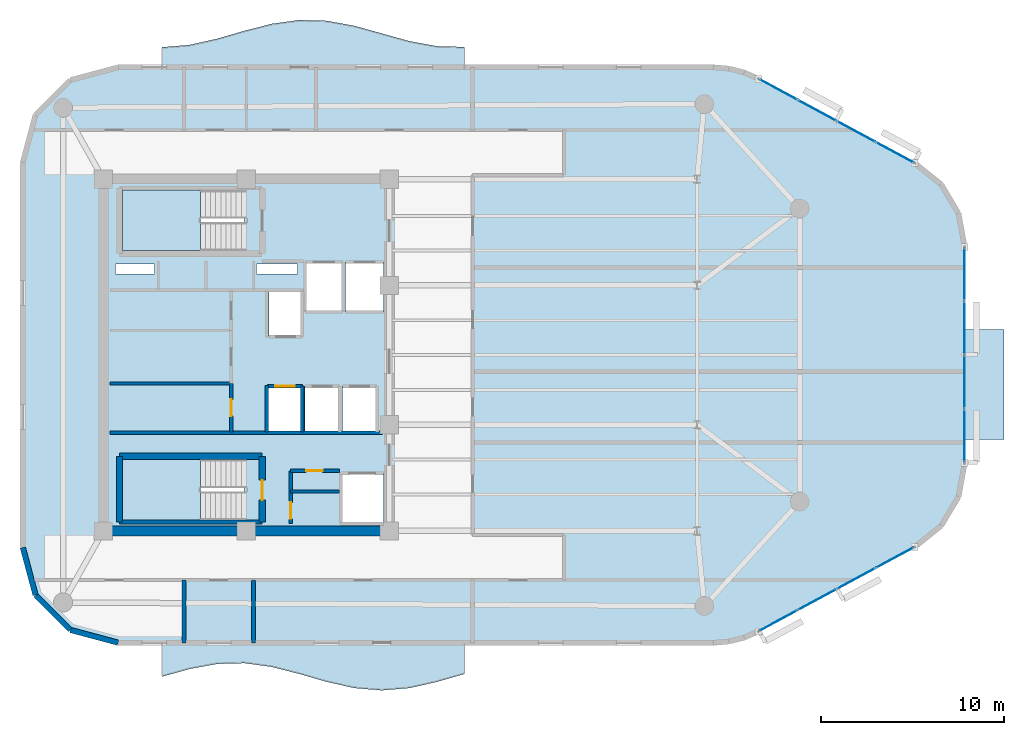
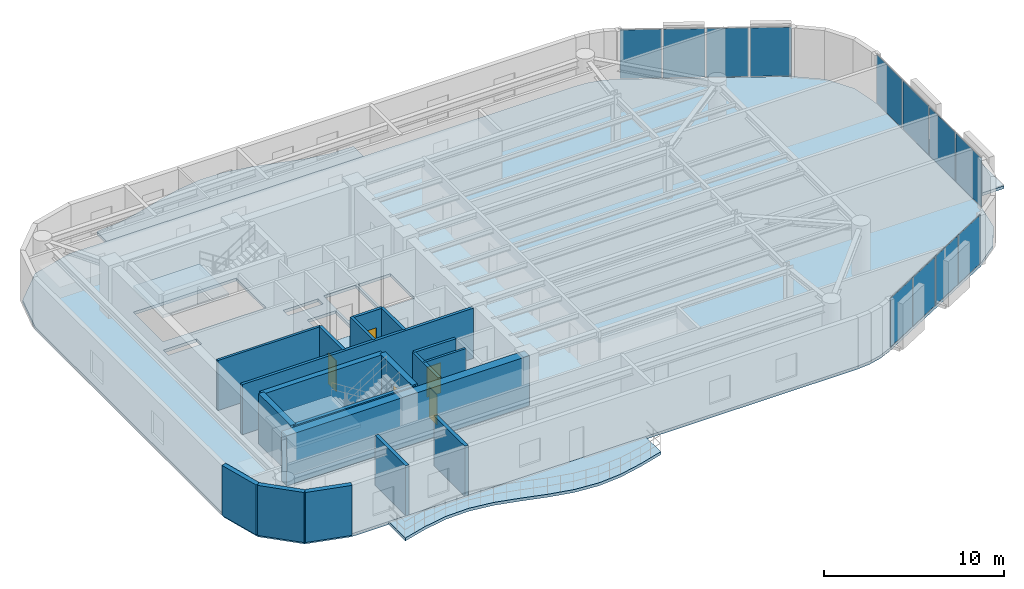
# One storey, part 8 of 13: 19 walls, 12 plates, 6 slabs, 5 doors, 5 openings, 5 elements without a shape of their own.
"""IFC4 building model written with IfcOpenShell, lengths in metres."""

from ifc_helpers import new_model, si_unit, direction, frame, frame_2d, origin, origin_2d, place, context, subcontext, project, spatial, polyline, rectangle, outline, extrude, material, layer, layer_set, type_object, element, fill, aggregate, save


model = new_model("IFC4")

# Units and contexts
model_context = context("Model", 3, precision=1e-05, world=origin(), true_north=direction((0.0, 1.0)))
body_context = subcontext(model_context, "Body", "Model", "MODEL_VIEW")
ifc_project = project(units=[si_unit("LENGTHUNIT", "METRE"), si_unit("AREAUNIT", "SQUARE_METRE"), si_unit("VOLUMEUNIT", "CUBIC_METRE"), si_unit("PLANEANGLEUNIT", "RADIAN"), si_unit("MASSUNIT", "GRAM", prefix="KILO")], contexts=[model_context])

# Site, building, storey
site_placement = place(None, origin())
site = spatial("IfcSite", under=ifc_project, at=site_placement, CompositionType="ELEMENT")
building_placement = place(site_placement, origin())
building = spatial("IfcBuilding", under=site, at=building_placement, Name="An Khanh Terracotta Commons", CompositionType="ELEMENT")
storey_placement = place(building_placement, frame((0.0, 0.0, 222.89990234375)))
storey = spatial("IfcBuildingStorey", under=building, at=storey_placement, Name="L58", CompositionType="ELEMENT", Elevation=222.89990234375)

# Curtain wall, plates
ifc_material_1 = material(Name="Anodised Aluminium 6063-T6", Category="aluminium")
ifc_layer_1 = layer(ifc_material_1, 0.2099609375, Name="Anodised Aluminium 6063-T6")
ifc_layer_set_1 = layer_set([ifc_layer_1], Name="Anodised Aluminium 6063-T6")
curtain_wall_type = type_object("IfcCurtainWallType", Name="CW-SYS-03", PredefinedType="USERDEFINED", material=ifc_layer_set_1)
curtain_wall_1_placement = place(storey_placement, origin())
curtain_wall_1 = element("IfcCurtainWall", 1, at=curtain_wall_1_placement, inside=storey, type_object=curtain_wall_type, Name="L58 CW-03 Unitised Curtain Wall CW-L58-08", ObjectType="UNITISED CURTAIN WALL", PredefinedType="USERDEFINED")
ifc_material_2 = material(Name="Acoustic Laminated Low-E Glazing", Category="glass")
ifc_layer_2 = layer(ifc_material_2, 0.035888671875, Name="Acoustic Laminated Low-E Glazing")
ifc_layer_set_2 = layer_set([ifc_layer_2], Name="Acoustic Laminated Low-E Glazing")
plate_type = type_object("IfcPlateType", Name="CWP-IGU-36", PredefinedType="CURTAIN_PANEL", material=ifc_layer_set_2)
plate_1_placement = place(storey_placement, frame((58.436767578125, 9.508544921875, 0.05029296875), z_axis=(0.0, 0.0, 1.0), x_axis=(0.879780095306, 0.47538088298, 0.0)))
plate_1 = element("IfcPlate", 2, at=plate_1_placement, type_object=plate_type, Name="CW-03 panel 1.1", PredefinedType="CURTAIN_PANEL", context=body_context, shape_type="SweptSolid", body=[
    extrude(rectangle(XDim=2.314697265625, YDim=0.035888671875, at=origin_2d()), origin(), (0.0, 0.0, 1.0), 3.300048828125),
])
plate_2_placement = place(storey_placement, frame((60.550048828125, 10.650390625, 0.05029296875), z_axis=(0.0, 0.0, 1.0), x_axis=(0.879780095306, 0.47538088298, 0.0)))
plate_2 = element("IfcPlate", 3, at=plate_2_placement, type_object=plate_type, Name="CW-03 panel 2.1", PredefinedType="CURTAIN_PANEL", context=body_context, shape_type="SweptSolid", body=[
    extrude(rectangle(XDim=2.349609375, YDim=0.035888671875, at=origin_2d()), origin(), (0.0, 0.0, 1.0), 3.300048828125),
])
plate_3_placement = place(storey_placement, frame((62.678955078125, 11.800537109375, 0.05029296875), z_axis=(0.0, 0.0, 1.0), x_axis=(0.879780095306, 0.47538088298, 0.0)))
plate_3 = element("IfcPlate", 4, at=plate_3_placement, type_object=plate_type, Name="CW-03 panel 3.1", PredefinedType="CURTAIN_PANEL", context=body_context, shape_type="SweptSolid", body=[
    extrude(rectangle(XDim=2.349609375, YDim=0.035888671875, at=origin_2d()), origin(), (0.0, 0.0, 1.0), 3.300048828125),
])
plate_4_placement = place(storey_placement, frame((64.792236328125, 12.942626953125, 0.05029296875), z_axis=(0.0, 0.0, 1.0), x_axis=(0.879780095306, 0.47538088298, 0.0)))
plate_4 = element("IfcPlate", 5, at=plate_4_placement, type_object=plate_type, Name="CW-03 panel 4.1", PredefinedType="CURTAIN_PANEL", context=body_context, shape_type="SweptSolid", body=[
    extrude(rectangle(XDim=2.314697265625, YDim=0.035888671875, at=origin_2d()), origin(), (0.0, 0.0, 1.0), 3.300048828125),
])
aggregate(curtain_wall_1, [plate_1, plate_2, plate_3, plate_4])

curtain_wall_2_placement = place(storey_placement, origin())
curtain_wall_2 = element("IfcCurtainWall", 6, at=curtain_wall_2_placement, inside=storey, type_object=curtain_wall_type, Name="L58 CW-03 Unitised Curtain Wall CW-L58-12", ObjectType="UNITISED CURTAIN WALL", PredefinedType="USERDEFINED")
plate_5_placement = place(storey_placement, frame((68.60009765625, 19.59326171875, 0.05029296875), z_axis=(0.0, 0.0, 1.0), x_axis=(0.0, 1.0, 0.0)))
plate_5 = element("IfcPlate", 7, at=plate_5_placement, type_object=plate_type, Name="CW-03 panel 1.1", PredefinedType="CURTAIN_PANEL", context=body_context, shape_type="SweptSolid", body=[
    extrude(rectangle(XDim=2.844482421875, YDim=0.035888671875, at=origin_2d()), origin(), (0.0, 0.0, 1.0), 3.300048828125),
])
plate_6_placement = place(storey_placement, frame((68.60009765625, 22.525146484375, 0.05029296875), z_axis=(0.0, 0.0, 1.0), x_axis=(0.0, 1.0, 0.0)))
plate_6 = element("IfcPlate", 8, at=plate_6_placement, type_object=plate_type, Name="CW-03 panel 2.1", PredefinedType="CURTAIN_PANEL", context=body_context, shape_type="SweptSolid", body=[
    extrude(rectangle(XDim=2.87939453125, YDim=0.035888671875, at=origin_2d()), origin(), (0.0, 0.0, 1.0), 3.300048828125),
])
plate_7_placement = place(storey_placement, frame((68.60009765625, 25.474853515625, 0.05029296875), z_axis=(0.0, 0.0, 1.0), x_axis=(0.0, 1.0, 0.0)))
plate_7 = element("IfcPlate", 9, at=plate_7_placement, type_object=plate_type, Name="CW-03 panel 3.1", PredefinedType="CURTAIN_PANEL", context=body_context, shape_type="SweptSolid", body=[
    extrude(rectangle(XDim=2.87939453125, YDim=0.035888671875, at=origin_2d()), origin(), (0.0, 0.0, 1.0), 3.300048828125),
])
plate_8_placement = place(storey_placement, frame((68.60009765625, 28.40673828125, 0.05029296875), z_axis=(0.0, 0.0, 1.0), x_axis=(0.0, 1.0, 0.0)))
plate_8 = element("IfcPlate", 10, at=plate_8_placement, type_object=plate_type, Name="CW-03 panel 4.1", PredefinedType="CURTAIN_PANEL", context=body_context, shape_type="SweptSolid", body=[
    extrude(rectangle(XDim=2.844482421875, YDim=0.035888671875, at=origin_2d()), origin(), (0.0, 0.0, 1.0), 3.300048828125),
])
aggregate(curtain_wall_2, [plate_5, plate_6, plate_7, plate_8])

curtain_wall_3_placement = place(storey_placement, origin())
curtain_wall_3 = element("IfcCurtainWall", 11, at=curtain_wall_3_placement, inside=storey, type_object=curtain_wall_type, Name="L58 CW-03 Unitised Curtain Wall CW-L58-16", ObjectType="UNITISED CURTAIN WALL", PredefinedType="USERDEFINED")
plate_9_placement = place(storey_placement, frame((64.792236328125, 35.057373046875, 0.05029296875), z_axis=(0.0, 0.0, 1.0), x_axis=(-0.879780095306, 0.47538088298, 0.0)))
plate_9 = element("IfcPlate", 12, at=plate_9_placement, type_object=plate_type, Name="CW-03 panel 1.1", PredefinedType="CURTAIN_PANEL", context=body_context, shape_type="SweptSolid", body=[
    extrude(rectangle(XDim=2.314697265625, YDim=0.035888671875, at=origin_2d()), origin(), (0.0, 0.0, 1.0), 3.300048828125),
])
plate_10_placement = place(storey_placement, frame((62.678955078125, 36.199462890625, 0.05029296875), z_axis=(0.0, 0.0, 1.0), x_axis=(-0.879780095306, 0.47538088298, 0.0)))
plate_10 = element("IfcPlate", 13, at=plate_10_placement, type_object=plate_type, Name="CW-03 panel 2.1", PredefinedType="CURTAIN_PANEL", context=body_context, shape_type="SweptSolid", body=[
    extrude(rectangle(XDim=2.349609375, YDim=0.035888671875, at=origin_2d()), origin(), (0.0, 0.0, 1.0), 3.300048828125),
])
plate_11_placement = place(storey_placement, frame((60.550048828125, 37.349609375, 0.05029296875), z_axis=(0.0, 0.0, 1.0), x_axis=(-0.879780095306, 0.47538088298, 0.0)))
plate_11 = element("IfcPlate", 14, at=plate_11_placement, type_object=plate_type, Name="CW-03 panel 3.1", PredefinedType="CURTAIN_PANEL", context=body_context, shape_type="SweptSolid", body=[
    extrude(rectangle(XDim=2.349609375, YDim=0.035888671875, at=origin_2d()), origin(), (0.0, 0.0, 1.0), 3.300048828125),
])
plate_12_placement = place(storey_placement, frame((58.436767578125, 38.491455078125, 0.05029296875), z_axis=(0.0, 0.0, 1.0), x_axis=(-0.879780095306, 0.47538088298, 0.0)))
plate_12 = element("IfcPlate", 15, at=plate_12_placement, type_object=plate_type, Name="CW-03 panel 4.1", PredefinedType="CURTAIN_PANEL", context=body_context, shape_type="SweptSolid", body=[
    extrude(rectangle(XDim=2.314697265625, YDim=0.035888671875, at=origin_2d()), origin(), (0.0, 0.0, 1.0), 3.300048828125),
])
aggregate(curtain_wall_3, [plate_9, plate_10, plate_11, plate_12])

# Slabs
ifc_material_3 = material(Name="Concrete C40/50", Category="concrete")
ifc_layer_3 = layer(ifc_material_3, 0.199951171875, Name="Concrete C40/50")
ifc_layer_set_3 = layer_set([ifc_layer_3], Name="Concrete C40/50")
slab_type_1 = type_object("IfcSlabType", Name="SLAB-BALC-200", PredefinedType="FLOOR", material=ifc_layer_set_3)
slab_1_placement = place(storey_placement, frame((0.0, 0.0, -0.199951171875)))
element("IfcSlab", 16, at=slab_1_placement, inside=storey, type_object=slab_type_1, Name="L58 S Sinusoidal Wave Balcony Slab", PredefinedType="FLOOR", context=body_context, shape_type="SweptSolid", body=[
    extrude(outline(polyline([(24.800048828125, 8.300048828125), (24.800048828125, 6.449951171875), (26.300048828125, 6.866943359375), (27.800048828125, 7.14306640625), (29.300048828125, 7.18603515625), (30.800048828125, 6.97998046875), (32.300048828125, 6.595947265625), (33.800048828125, 6.1630859375), (35.300048828125, 5.825927734375), (36.800048828125, 5.699951171875), (38.300048828125, 5.825927734375), (39.800048828125, 6.1630859375), (41.300048828125, 6.595947265625), (41.300048828125, 8.300048828125), (24.800048828125, 8.300048828125)])), origin(), (0.0, 0.0, 1.0), 0.199951171875),
])
slab_2_placement = place(storey_placement, frame((0.0, 0.0, -0.199951171875)))
element("IfcSlab", 17, at=slab_2_placement, inside=storey, type_object=slab_type_1, Name="L58 N Sinusoidal Wave Balcony Slab", PredefinedType="FLOOR", context=body_context, shape_type="SweptSolid", body=[
    extrude(outline(polyline([(41.300048828125, 39.699951171875), (41.300048828125, 40.81396484375), (39.800048828125, 40.85693359375), (38.300048828125, 41.133056640625), (36.800048828125, 41.550048828125), (35.300048828125, 41.967041015625), (33.800048828125, 42.242919921875), (32.300048828125, 42.285888671875), (30.800048828125, 42.080078125), (29.300048828125, 41.696044921875), (27.800048828125, 41.262939453125), (26.300048828125, 40.926025390625), (24.800048828125, 40.800048828125), (24.800048828125, 39.699951171875), (41.300048828125, 39.699951171875)])), origin(), (0.0, 0.0, 1.0), 0.199951171875),
])
ifc_layer_4 = layer(ifc_material_3, 0.22998046875, Name="Concrete C40/50")
ifc_layer_set_4 = layer_set([ifc_layer_4], Name="Concrete C40/50")
slab_type_2 = type_object("IfcSlabType", Name="SLAB-BOXROOF-230", PredefinedType="ROOF", material=ifc_layer_set_4)
slab_3_placement = place(storey_placement, frame((0.0, 0.0, -0.199951171875)))
element("IfcSlab", 18, at=slab_3_placement, inside=storey, type_object=slab_type_2, Name="L58 Shifted Social Kitchen Box Closing Roof Slab (L57)", PredefinedType="ROOF", context=body_context, shape_type="SweptSolid", body=[
    extrude(outline(polyline([(68.60009765625, 19.39990234375), (70.75, 19.39990234375), (70.75, 25.39990234375), (68.60009765625, 25.39990234375), (68.60009765625, 19.39990234375)])), origin(), (0.0, 0.0, 1.0), 0.199951171875),
])

# Stair, slab
ifc_material_4 = material(Name="Precast concrete C40/50", Category="concrete")
stair_type = type_object("IfcStairType", Name="STAIR-CORE-1550", PredefinedType="HALF_TURN_STAIR", material=ifc_material_4)
stair_1_placement = place(storey_placement, origin())
stair_1 = element("IfcStair", 19, at=stair_1_placement, inside=storey, type_object=stair_type, Name="L58 Core Smokeproof Exit Stair ST-01", PredefinedType="HALF_TURN_STAIR")
ifc_layer_5 = layer(ifc_material_3, 0.18994140625, Name="Concrete C40/50")
ifc_layer_set_5 = layer_set([ifc_layer_5], Name="Concrete C40/50")
slab_type_3 = type_object("IfcSlabType", Name="SLAB-LANDING-190", PredefinedType="LANDING", material=ifc_layer_set_5)
slab_4_placement = place(storey_placement, frame((0.0, 0.0, 1.60009765625)))
slab_4 = element("IfcSlab", 20, at=slab_4_placement, type_object=slab_type_3, Name="ST-01 landing 1", PredefinedType="LANDING", context=body_context, shape_type="SweptSolid", body=[
    extrude(outline(polyline([(26.889892578125, 33.0), (22.64990234375, 33.0), (22.64990234375, 29.699951171875), (26.889892578125, 29.699951171875), (26.889892578125, 33.0)])), origin(), (0.0, 0.0, 1.0), 0.199951171875),
])
aggregate(stair_1, [slab_4])

stair_2_placement = place(storey_placement, origin())
stair_2 = element("IfcStair", 21, at=stair_2_placement, inside=storey, type_object=stair_type, Name="L58 Core Smokeproof Exit Stair ST-02", PredefinedType="HALF_TURN_STAIR")
slab_5_placement = place(storey_placement, frame((0.0, 0.0, 1.60009765625)))
slab_5 = element("IfcSlab", 22, at=slab_5_placement, type_object=slab_type_3, Name="ST-02 landing 1", PredefinedType="LANDING", context=body_context, shape_type="SweptSolid", body=[
    extrude(outline(polyline([(26.889892578125, 18.300048828125), (22.64990234375, 18.300048828125), (22.64990234375, 15.0), (26.889892578125, 15.0), (26.889892578125, 18.300048828125)])), origin(), (0.0, 0.0, 1.0), 0.199951171875),
])
aggregate(stair_2, [slab_5])

# Slab
ifc_layer_6 = layer(ifc_material_3, 0.199951171875, Name="Concrete C40/50")
ifc_layer_set_6 = layer_set([ifc_layer_6], Name="Concrete C40/50")
slab_type_4 = type_object("IfcSlabType", Name="SLAB-TYP-200", PredefinedType="FLOOR", material=ifc_layer_set_6)
slab_6_placement = place(storey_placement, frame((0.0, 0.0, -0.199951171875)))
element("IfcSlab", 23, at=slab_6_placement, inside=storey, type_object=slab_type_4, Name="L58 Structural Floor Slab", PredefinedType="FLOOR", context=body_context, shape_type="SweptSolid", body=[
    extrude(outline(polyline([(17.199951171875, 13.5), (17.89697265625, 10.89990234375), (19.800048828125, 8.9970703125), (22.39990234375, 8.300048828125), (54.885009765625, 8.300048828125), (55.739990234375, 8.37109375), (56.571044921875, 8.5810546875), (57.35693359375, 8.925048828125), (65.8720703125, 13.52587890625), (67.320068359375, 14.68408203125), (68.26904296875, 16.27587890625), (68.60009765625, 18.10107421875), (68.60009765625, 29.89892578125), (68.26904296875, 31.72412109375), (67.320068359375, 33.31591796875), (65.8720703125, 34.47412109375), (57.35693359375, 39.074951171875), (56.571044921875, 39.4189453125), (55.739990234375, 39.62890625), (54.885009765625, 39.699951171875), (22.39990234375, 39.699951171875), (19.800048828125, 39.0029296875), (17.89697265625, 37.10009765625), (17.199951171875, 34.5), (17.199951171875, 13.5)]), holes=[polyline([(22.64990234375, 29.699951171875), (29.27001953125, 29.699951171875), (29.27001953125, 33.0), (22.64990234375, 33.0), (22.64990234375, 29.699951171875)]), polyline([(22.64990234375, 15.0), (29.27001953125, 15.0), (29.27001953125, 18.300048828125), (22.64990234375, 18.300048828125), (22.64990234375, 15.0)]), polyline([(32.60009765625, 26.35009765625), (34.679931640625, 26.35009765625), (34.679931640625, 29.080078125), (32.60009765625, 29.080078125), (32.60009765625, 26.35009765625)]), polyline([(34.820068359375, 26.35009765625), (36.89990234375, 26.35009765625), (36.89990234375, 29.080078125), (34.820068359375, 29.080078125), (34.820068359375, 26.35009765625)]), polyline([(34.550048828125, 14.800048828125), (36.89990234375, 14.800048828125), (36.89990234375, 17.550048828125), (34.550048828125, 17.550048828125), (34.550048828125, 14.800048828125)]), polyline([(30.639892578125, 25.0), (32.4599609375, 25.0), (32.4599609375, 27.5), (30.639892578125, 27.5), (30.639892578125, 25.0)]), polyline([(30.56005859375, 19.800048828125), (32.4599609375, 19.800048828125), (32.4599609375, 22.300048828125), (30.56005859375, 22.300048828125), (30.56005859375, 19.800048828125)]), polyline([(32.60009765625, 19.800048828125), (34.5, 19.800048828125), (34.5, 22.300048828125), (32.60009765625, 22.300048828125), (32.60009765625, 19.800048828125)]), polyline([(34.639892578125, 19.800048828125), (36.5400390625, 19.800048828125), (36.5400390625, 22.300048828125), (34.639892578125, 22.300048828125), (34.639892578125, 19.800048828125)]), polyline([(22.25, 28.419921875), (24.39990234375, 28.419921875), (24.39990234375, 28.97998046875), (22.25, 28.97998046875), (22.25, 28.419921875)]), polyline([(29.949951171875, 28.419921875), (32.199951171875, 28.419921875), (32.199951171875, 28.97998046875), (29.949951171875, 28.97998046875), (29.949951171875, 28.419921875)])]), origin(), (0.0, 0.0, 1.0), 0.199951171875),
])

# Walls
ifc_material_5 = material(Name="Concrete C50/60", Category="concrete")
ifc_layer_7 = layer(ifc_material_5, 0.550048828125, Name="Concrete C50/60")
ifc_layer_set_7 = layer_set([ifc_layer_7], Name="Concrete C50/60")
wall_type_1 = type_object("IfcWallType", Name="WALL-CORE-550", PredefinedType="SHEAR", material=ifc_layer_set_7)
wall_1_placement = place(storey_placement, frame((37.199951171875, 14.39990234375, 0.0), z_axis=(0.0, 0.0, 1.0), x_axis=(-1.0, 0.0, 0.0)))
element("IfcWall", 24, at=wall_1_placement, inside=storey, type_object=wall_type_1, Name="L58 Core Wall CWALL-L58-S", PredefinedType="SHEAR", context=body_context, shape_type="SweptSolid", body=[
    extrude(rectangle(XDim=15.599853515625, YDim=0.550048828125, at=frame_2d((7.7998046875, 0.0))), origin(), (0.0, 0.0, 1.0), 3.400146484375),
])
ifc_material_6 = material(Name="Fire-Rated Gypsum Board on Steel Stud", Category="steel")
ifc_layer_8 = layer(ifc_material_6, 0.179931640625, Name="Fire-Rated Gypsum Board on Steel Stud")
ifc_layer_set_8 = layer_set([ifc_layer_8], Name="Fire-Rated Gypsum Board on Steel Stud")
wall_type_2 = type_object("IfcWallType", Name="WALL-CORR-180", PredefinedType="PARTITIONING", material=ifc_layer_set_8)
wall_2_placement = place(storey_placement, frame((21.949951171875, 19.760009765625, 0.0), z_axis=(0.0, 0.0, 1.0), x_axis=(1.0, 0.0, 0.0)))
element("IfcWall", 25, at=wall_2_placement, inside=storey, type_object=wall_type_2, Name="L58 Core Wall SVW-L58-N", PredefinedType="PARTITIONING", context=body_context, shape_type="SweptSolid", body=[
    extrude(rectangle(XDim=14.8701171875, YDim=0.179931640625, at=frame_2d((7.43505859375, 0.0))), origin(), (0.0, 0.0, 1.0), 3.400146484375),
])

# Wall, opening, door
wall_3_placement = place(storey_placement, frame((31.820068359375, 17.679931640625, 0.0), z_axis=(0.0, 0.0, 1.0), x_axis=(1.0, 0.0, 0.0)))
wall_3 = element("IfcWall", 26, at=wall_3_placement, inside=storey, type_object=wall_type_2, Name="L58 Core Wall SSVCW-L58-N", PredefinedType="PARTITIONING", context=body_context, shape_type="SweptSolid", body=[
    extrude(rectangle(XDim=2.659912109375, YDim=0.179931640625, at=frame_2d((1.330078125, 0.0))), origin(), (0.0, 0.0, 1.0), 3.400146484375),
])
opening_1_placement = place(wall_3_placement, frame((0.85009765625, 0.0, 0.0)))
opening_1 = element("IfcOpeningElement", 27, at=opening_1_placement, cuts=wall_3, Name="Opening D-SV", PredefinedType="OPENING", context=body_context, shape_type="SweptSolid", body=[
    extrude(rectangle(XDim=0.89990234375, YDim=2.050048828125, at=frame_2d((0.449951171875, 1.02490234375))), frame((0.0, 0.099853515625, 0.0), z_axis=(0.0, -1.0, 0.0), x_axis=(1.0, 0.0, 0.0)), (0.0, 0.0, 1.0), 0.199951171875),
])
ifc_material_7 = material(Name="Fire-Rated Powder-Coated Steel Door", Category="steel")
door_type_1 = type_object("IfcDoorType", Name="DOOR-SERV-900", OperationType="NOTDEFINED", PredefinedType="DOOR", material=ifc_material_7)
door_1_placement = place(opening_1_placement, origin())
door_1 = element("IfcDoor", 28, at=door_1_placement, inside=storey, type_object=door_type_1, Name="L58 Core Cleaner Store Door", OperationType="SINGLE_SWING_LEFT", OverallHeight=2.050048828125, OverallWidth=0.89990234375, PredefinedType="DOOR", context=body_context, shape_type="SweptSolid", body=[
    extrude(rectangle(XDim=0.89990234375, YDim=2.050048828125, at=frame_2d((0.449951171875, 1.02490234375))), frame((0.0, 0.02490234375, 0.0), z_axis=(0.0, -1.0, 0.0), x_axis=(1.0, 0.0, 0.0)), (0.0, 0.0, 1.0), 0.050048828125),
])
fill(opening_1, door_1)

wall_4_placement = place(storey_placement, frame((31.820068359375, 14.800048828125, 0.0), z_axis=(0.0, 0.0, 1.0), x_axis=(0.0, 1.0, 0.0)))
wall_4 = element("IfcWall", 29, at=wall_4_placement, inside=storey, type_object=wall_type_2, Name="L58 Core Wall SSVCW-L58-W", PredefinedType="PARTITIONING", context=body_context, shape_type="SweptSolid", body=[
    extrude(rectangle(XDim=2.8798828125, YDim=0.179931640625, at=frame_2d((1.43994140625, 0.0))), origin(), (0.0, 0.0, 1.0), 3.400146484375),
])
opening_2_placement = place(wall_4_placement, frame((0.260009765625, 0.0, 0.0)))
opening_2 = element("IfcOpeningElement", 30, at=opening_2_placement, cuts=wall_4, Name="Opening D-SV", PredefinedType="OPENING", context=body_context, shape_type="SweptSolid", body=[
    extrude(rectangle(XDim=0.89990234375, YDim=2.050048828125, at=frame_2d((0.449951171875, 1.02490234375))), frame((0.0, 0.099853515625, 0.0), z_axis=(0.0, -1.0, 0.0), x_axis=(1.0, 0.0, 0.0)), (0.0, 0.0, 1.0), 0.199951171875),
])
door_2_placement = place(opening_2_placement, origin())
door_2 = element("IfcDoor", 31, at=door_2_placement, inside=storey, type_object=door_type_1, Name="L58 Telecoms BMS Cupboard Door", OperationType="SINGLE_SWING_RIGHT", OverallHeight=2.050048828125, OverallWidth=0.89990234375, PredefinedType="DOOR", context=body_context, shape_type="SweptSolid", body=[
    extrude(rectangle(XDim=0.89990234375, YDim=2.050048828125, at=frame_2d((0.449951171875, 1.02490234375))), frame((0.0, 0.02490234375, 0.0), z_axis=(0.0, -1.0, 0.0), x_axis=(1.0, 0.0, 0.0)), (0.0, 0.0, 1.0), 0.050048828125),
])
fill(opening_2, door_2)

wall_5_placement = place(storey_placement, frame((30.56005859375, 22.300048828125, 0.0), z_axis=(0.0, 0.0, 1.0), x_axis=(1.0, 0.0, 0.0)))
wall_5 = element("IfcWall", 32, at=wall_5_placement, inside=storey, type_object=wall_type_2, Name="L58 Core Wall LSH-L58-PL-H2-N", PredefinedType="PARTITIONING", context=body_context, shape_type="SweptSolid", body=[
    extrude(rectangle(XDim=1.89990234375, YDim=0.179931640625, at=frame_2d((0.949951171875, 0.0))), origin(), (0.0, 0.0, 1.0), 3.400146484375),
])
opening_3_placement = place(wall_5_placement, frame((0.425048828125, 0.0, 0.0)))
opening_3 = element("IfcOpeningElement", 33, at=opening_3_placement, cuts=wall_5, Name="Opening LD-PL-H2-L58", PredefinedType="OPENING", context=body_context, shape_type="SweptSolid", body=[
    extrude(rectangle(XDim=1.050048828125, YDim=2.199951171875, at=frame_2d((0.52490234375, 1.10009765625))), frame((0.0, 0.099853515625, 0.0), z_axis=(0.0, -1.0, 0.0), x_axis=(1.0, 0.0, 0.0)), (0.0, 0.0, 1.0), 0.199951171875),
])
ifc_material_8 = material(Name="Brushed Stainless Steel High-Rise Landing Door", Category="steel")
door_type_2 = type_object("IfcDoorType", Name="DOOR-LD-PAXH-1050", OperationType="NOTDEFINED", PredefinedType="DOOR", material=ifc_material_8)
door_3_placement = place(opening_3_placement, origin())
door_3 = element("IfcDoor", 34, at=door_3_placement, inside=storey, type_object=door_type_2, Name="L58 Lift PL-H2 Sliding Landing Door", OperationType="DOUBLE_DOOR_SLIDING", OverallHeight=2.199951171875, OverallWidth=1.050048828125, PredefinedType="DOOR", context=body_context, shape_type="SweptSolid", body=[
    extrude(rectangle(XDim=1.050048828125, YDim=2.199951171875, at=frame_2d((0.52490234375, 1.10009765625))), frame((0.0, 0.02490234375, 0.0), z_axis=(0.0, -1.0, 0.0), x_axis=(1.0, 0.0, 0.0)), (0.0, 0.0, 1.0), 0.050048828125),
])
fill(opening_3, door_3)

# Walls
wall_6_placement = place(storey_placement, frame((32.4599609375, 19.800048828125, 0.0), z_axis=(0.0, 0.0, 1.0), x_axis=(0.0, 1.0, 0.0)))
element("IfcWall", 35, at=wall_6_placement, inside=storey, type_object=wall_type_2, Name="L58 Core Wall LSH-L58-PL-H2-E", PredefinedType="PARTITIONING", context=body_context, shape_type="SweptSolid", body=[
    extrude(rectangle(XDim=2.5, YDim=0.179931640625, at=frame_2d((1.25, 0.0))), origin(), (0.0, 0.0, 1.0), 3.400146484375),
])
wall_7_placement = place(storey_placement, frame((30.52001953125, 19.800048828125, 0.0), z_axis=(0.0, 0.0, 1.0), x_axis=(0.0, 1.0, 0.0)))
element("IfcWall", 36, at=wall_7_placement, inside=storey, type_object=wall_type_2, Name="L58 Core Wall RECW-L58-BE2", PredefinedType="PARTITIONING", context=body_context, shape_type="SweptSolid", body=[
    extrude(rectangle(XDim=2.550048828125, YDim=0.179931640625, at=frame_2d((1.27490234375, 0.0))), origin(), (0.0, 0.0, 1.0), 3.400146484375),
])

# Wall, opening, door
wall_8_placement = place(storey_placement, frame((28.580078125, 19.800048828125, 0.0), z_axis=(0.0, 0.0, 1.0), x_axis=(0.0, 1.0, 0.0)))
wall_8 = element("IfcWall", 37, at=wall_8_placement, inside=storey, type_object=wall_type_2, Name="L58 Core Wall RECW-L58-E3", PredefinedType="PARTITIONING", context=body_context, shape_type="SweptSolid", body=[
    extrude(rectangle(XDim=2.64990234375, YDim=0.179931640625, at=frame_2d((1.324951171875, 0.0))), origin(), (0.0, 0.0, 1.0), 3.400146484375),
])
opening_4_placement = place(wall_8_placement, frame((0.864990234375, 0.0, 0.0)))
opening_4 = element("IfcOpeningElement", 38, at=opening_4_placement, cuts=wall_8, Name="Opening D-RM", PredefinedType="OPENING", context=body_context, shape_type="SweptSolid", body=[
    extrude(rectangle(XDim=0.919921875, YDim=2.10009765625, at=frame_2d((0.4599609375, 1.050048828125))), frame((0.0, 0.099853515625, 0.0), z_axis=(0.0, -1.0, 0.0), x_axis=(1.0, 0.0, 0.0)), (0.0, 0.0, 1.0), 0.199951171875),
])
ifc_material_9 = material(Name="Engineered Hardwood Timber Leaf", Category="wood")
door_type_3 = type_object("IfcDoorType", Name="DOOR-INT-920", OperationType="NOTDEFINED", PredefinedType="DOOR", material=ifc_material_9)
door_4_placement = place(opening_4_placement, origin())
door_4 = element("IfcDoor", 39, at=door_4_placement, inside=storey, type_object=door_type_3, Name="L58 Communal Laundry Room Door", OperationType="SINGLE_SWING_LEFT", OverallHeight=2.10009765625, OverallWidth=0.919921875, PredefinedType="DOOR", context=body_context, shape_type="SweptSolid", body=[
    extrude(rectangle(XDim=0.919921875, YDim=2.10009765625, at=frame_2d((0.4599609375, 1.050048828125))), frame((0.0, 0.02490234375, 0.0), z_axis=(0.0, -1.0, 0.0), x_axis=(1.0, 0.0, 0.0)), (0.0, 0.0, 1.0), 0.050048828125),
])
fill(opening_4, door_4)

# Walls
ifc_layer_9 = layer(ifc_material_4, 0.300048828125, Name="Precast concrete C40/50")
ifc_layer_set_9 = layer_set([ifc_layer_9], Name="Precast concrete C40/50")
wall_type_3 = type_object("IfcWallType", Name="WALL-EXT-300", PredefinedType="SOLIDWALL", material=ifc_layer_set_9)
wall_9_placement = place(storey_placement, frame((17.199951171875, 13.5, 0.0), z_axis=(0.0, 0.0, 1.0), x_axis=(0.258932525951, -0.965895412042, 0.0)))
element("IfcWall", 40, at=wall_9_placement, inside=storey, type_object=wall_type_3, Name="L58 Insulated Terracotta Exterior Wall 1", PredefinedType="SOLIDWALL", context=body_context, shape_type="SweptSolid", body=[
    extrude(rectangle(XDim=2.69189453125, YDim=0.300048828125, at=frame_2d((1.345947265625, 0.0))), origin(), (0.0, 0.0, 1.0), 3.400146484375),
])
wall_10_placement = place(storey_placement, frame((17.89697265625, 10.89990234375, 0.0), z_axis=(0.0, 0.0, 1.0), x_axis=(0.707152139074, -0.70706142039, 0.0)))
element("IfcWall", 41, at=wall_10_placement, inside=storey, type_object=wall_type_3, Name="L58 Insulated Terracotta Exterior Wall 2", PredefinedType="SOLIDWALL", context=body_context, shape_type="SweptSolid", body=[
    extrude(rectangle(XDim=2.691162109375, YDim=0.300048828125, at=frame_2d((1.345703125, 0.0))), origin(), (0.0, 0.0, 1.0), 3.400146484375),
])
wall_11_placement = place(storey_placement, frame((19.800048828125, 8.9970703125, 0.0), z_axis=(0.0, 0.0, 1.0), x_axis=(0.965889330541, -0.258955210695, 0.0)))
element("IfcWall", 42, at=wall_11_placement, inside=storey, type_object=wall_type_3, Name="L58 Insulated Terracotta Exterior Wall 3", PredefinedType="SOLIDWALL", context=body_context, shape_type="SweptSolid", body=[
    extrude(rectangle(XDim=2.691650390625, YDim=0.300048828125, at=frame_2d((1.345703125, 0.0))), origin(), (0.0, 0.0, 1.0), 3.400146484375),
])
ifc_material_10 = material(Name="Acoustic Gypsum Board Partition")
ifc_layer_10 = layer(ifc_material_10, 0.14990234375, Name="Acoustic Gypsum Board Partition")
ifc_layer_set_10 = layer_set([ifc_layer_10], Name="Acoustic Gypsum Board Partition")
wall_type_4 = type_object("IfcWallType", Name="WALL-PART-150", PredefinedType="PARTITIONING", material=ifc_layer_set_10)
wall_12_placement = place(storey_placement, frame((31.820068359375, 16.550048828125, 0.0), z_axis=(0.0, 0.0, 1.0), x_axis=(1.0, 0.0, 0.0)))
element("IfcWall", 43, at=wall_12_placement, inside=storey, type_object=wall_type_4, Name="L58 Core Wall SSVCW-L58-M", PredefinedType="PARTITIONING", context=body_context, shape_type="SweptSolid", body=[
    extrude(rectangle(XDim=2.659912109375, YDim=0.14990234375, at=frame_2d((1.330078125, 0.0))), origin(), (0.0, 0.0, 1.0), 3.400146484375),
])
wall_13_placement = place(storey_placement, frame((21.949951171875, 22.449951171875, 0.0), z_axis=(0.0, 0.0, 1.0), x_axis=(1.0, 0.0, 0.0)))
element("IfcWall", 44, at=wall_13_placement, inside=storey, type_object=wall_type_4, Name="L58 Core Wall RECW-L58-H2", PredefinedType="PARTITIONING", context=body_context, shape_type="SweptSolid", body=[
    extrude(rectangle(XDim=6.630126953125, YDim=0.14990234375, at=frame_2d((3.31494140625, 0.0))), origin(), (0.0, 0.0, 1.0), 3.400146484375),
])
ifc_material_11 = material(Name="Acoustic Double-Stud Gypsum and Mineral Wool")
ifc_layer_11 = layer(ifc_material_11, 0.219970703125, Name="Acoustic Double-Stud Gypsum and Mineral Wool")
ifc_layer_set_11 = layer_set([ifc_layer_11], Name="Acoustic Double-Stud Gypsum and Mineral Wool")
wall_type_5 = type_object("IfcWallType", Name="WALL-PARTY-220", PredefinedType="PARTITIONING", material=ifc_layer_set_11)
wall_14_placement = place(storey_placement, frame((22.47998046875, 14.889892578125, 0.0), z_axis=(0.0, 0.0, 1.0), x_axis=(1.0, 0.0, 0.0)))
element("IfcWall", 45, at=wall_14_placement, inside=storey, type_object=wall_type_5, Name="L58 Core Wall STW-L58-S-S", PredefinedType="PARTITIONING", context=body_context, shape_type="SweptSolid", body=[
    extrude(rectangle(XDim=7.7900390625, YDim=0.219970703125, at=frame_2d((3.89501953125, 0.0))), origin(), (0.0, 0.0, 1.0), 3.400146484375),
])
for number, where, z_axis, x_axis, name in (
    (46, (26.0, 8.300048828125, 0.0), (0.0, 0.0, 1.0), (0.0, 1.0, 0.0), "L58 Interior Partition IW-L58-E008"),
    (47, (29.800048828125, 8.300048828125, 0.0), (0.0, 0.0, 1.0), (0.0, 1.0, 0.0), "L58 Interior Partition IW-L58-E011"),
):
    element("IfcWall", number, at=place(storey_placement, frame(where, z_axis=z_axis, x_axis=x_axis)), inside=storey, type_object=wall_type_5, Name=name, PredefinedType="PARTITIONING", context=body_context, shape_type="SweptSolid", body=[
        extrude(rectangle(XDim=3.419921875, YDim=0.219970703125, at=frame_2d((1.7099609375, 0.0))), origin(), (0.0, 0.0, 1.0), 3.400146484375),
    ])
ifc_layer_12 = layer(ifc_material_5, 0.35009765625, Name="Concrete C50/60")
ifc_layer_set_12 = layer_set([ifc_layer_12], Name="Concrete C50/60")
wall_type_6 = type_object("IfcWallType", Name="WALL-SHAFT-350", PredefinedType="SOLIDWALL", material=ifc_layer_set_12)
wall_15_placement = place(storey_placement, frame((22.47998046875, 18.469970703125, 0.0), z_axis=(0.0, 0.0, 1.0), x_axis=(1.0, 0.0, 0.0)))
element("IfcWall", 48, at=wall_15_placement, inside=storey, type_object=wall_type_6, Name="L58 Core Wall STW-L58-S-N", PredefinedType="SOLIDWALL", context=body_context, shape_type="SweptSolid", body=[
    extrude(rectangle(XDim=7.7900390625, YDim=0.35009765625, at=frame_2d((3.89501953125, 0.0))), origin(), (0.0, 0.0, 1.0), 3.400146484375),
])
wall_16_placement = place(storey_placement, frame((22.47998046875, 14.889892578125, 0.0), z_axis=(0.0, 0.0, 1.0), x_axis=(0.0, 1.0, 0.0)))
element("IfcWall", 49, at=wall_16_placement, inside=storey, type_object=wall_type_6, Name="L58 Core Wall STW-L58-S-W", PredefinedType="SOLIDWALL", context=body_context, shape_type="SweptSolid", body=[
    extrude(rectangle(XDim=3.580078125, YDim=0.35009765625, at=frame_2d((1.7900390625, 0.0))), origin(), (0.0, 0.0, 1.0), 3.400146484375),
])

# Wall, opening, door
wall_17_placement = place(storey_placement, frame((30.27001953125, 14.889892578125, 0.0), z_axis=(0.0, 0.0, 1.0), x_axis=(0.0, 1.0, 0.0)))
wall_17 = element("IfcWall", 50, at=wall_17_placement, inside=storey, type_object=wall_type_6, Name="L58 Core Wall STW-L58-S-E", PredefinedType="SOLIDWALL", context=body_context, shape_type="SweptSolid", body=[
    extrude(rectangle(XDim=3.580078125, YDim=0.35009765625, at=frame_2d((1.7900390625, 0.0))), origin(), (0.0, 0.0, 1.0), 3.400146484375),
])
opening_5_placement = place(wall_17_placement, frame((1.18994140625, 0.0, 0.0)))
opening_5 = element("IfcOpeningElement", 51, at=opening_5_placement, cuts=wall_17, Name="Opening D-ST", PredefinedType="OPENING", context=body_context, shape_type="SweptSolid", body=[
    extrude(rectangle(XDim=1.10009765625, YDim=2.14990234375, at=frame_2d((0.550048828125, 1.074951171875))), frame((0.0, 0.18505859375, 0.0), z_axis=(0.0, -1.0, 0.0), x_axis=(1.0, 0.0, 0.0)), (0.0, 0.0, 1.0), 0.3701171875),
])
ifc_material_12 = material(Name="Fire-Rated Steel Leaf and Frame", Category="steel")
door_type_4 = type_object("IfcDoorType", Name="DOOR-STAIR-1100", OperationType="NOTDEFINED", PredefinedType="DOOR", material=ifc_material_12)
door_5_placement = place(opening_5_placement, origin())
door_5 = element("IfcDoor", 52, at=door_5_placement, inside=storey, type_object=door_type_4, Name="L58 Stair ST-02 Fire Door", OperationType="SINGLE_SWING_RIGHT", OverallHeight=2.14990234375, OverallWidth=1.10009765625, PredefinedType="DOOR", context=body_context, shape_type="SweptSolid", body=[
    extrude(rectangle(XDim=1.10009765625, YDim=2.14990234375, at=frame_2d((0.550048828125, 1.074951171875))), frame((0.0, 0.02490234375, 0.0), z_axis=(0.0, -1.0, 0.0), x_axis=(1.0, 0.0, 0.0)), (0.0, 0.0, 1.0), 0.050048828125),
])
fill(opening_5, door_5)

save(model, "model.ifc")
